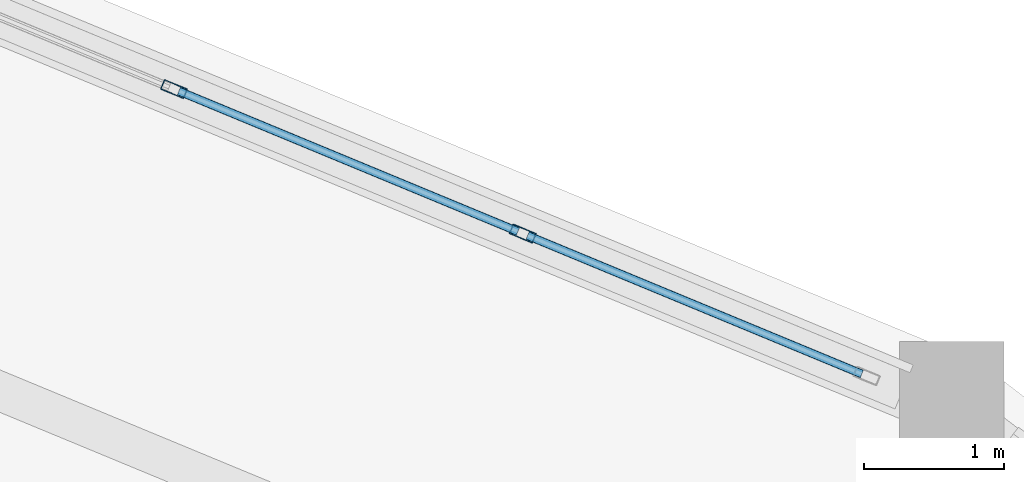
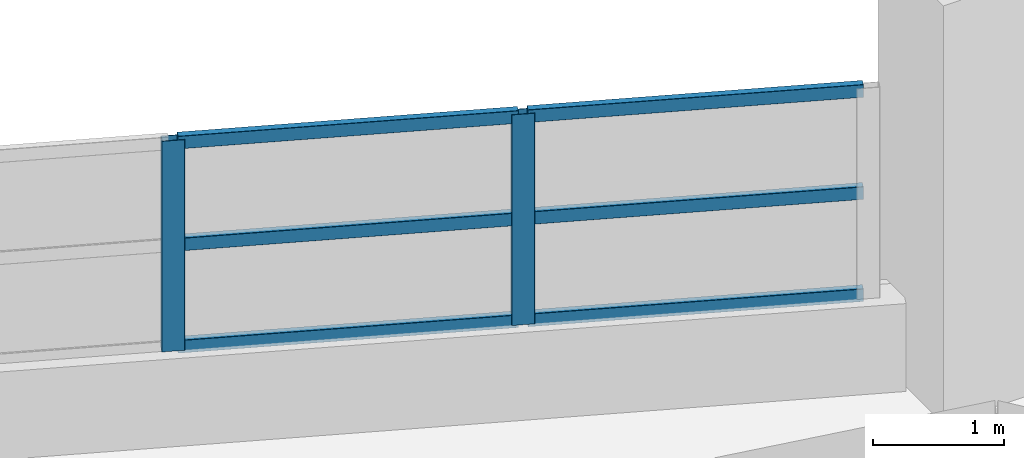
# One storey, part 78 of 108: 8 members, 1 element without a shape of its own.
"""IFC4 building model written with IfcOpenShell, lengths in metres."""

from ifc_helpers import new_model, si_unit, direction, frame, origin, origin_2d, place, context, subcontext, project, spatial, hollow_rectangle, extrude, material, layer, layer_set, material_profile, profile_set, type_object, element, aggregate, save


model = new_model("IFC4")

# Units and contexts
model_context = context("Model", 3, precision=1e-05, world=origin(), true_north=direction((0.0, 1.0)))
body_context = subcontext(model_context, "Body", "Model", "MODEL_VIEW")
ifc_project = project(units=[si_unit("LENGTHUNIT", "METRE"), si_unit("AREAUNIT", "SQUARE_METRE"), si_unit("VOLUMEUNIT", "CUBIC_METRE"), si_unit("PLANEANGLEUNIT", "RADIAN"), si_unit("MASSUNIT", "GRAM", prefix="KILO")], contexts=[model_context])

# Site, building, storey
site_placement = place(None, origin())
site = spatial("IfcSite", under=ifc_project, at=site_placement, CompositionType="ELEMENT")
building_placement = place(site_placement, origin())
building = spatial("IfcBuilding", under=site, at=building_placement, Name="Vespera Passage Community Centre", CompositionType="ELEMENT")
storey_placement = place(building_placement, frame((0.0, 0.0, 12.60009765625)))
storey = spatial("IfcBuildingStorey", under=building, at=storey_placement, Name="L03", CompositionType="ELEMENT", Elevation=12.60009765625)

# Curtain wall, members
ifc_material_1 = material(Name="Anodized aluminium 6063-T6", Category="aluminium")
ifc_layer = layer(ifc_material_1, 0.159912109375)
ifc_layer_set = layer_set([ifc_layer], Name="Anodized aluminium 6063-T6")
curtain_wall_type = type_object("IfcCurtainWallType", Name="CW-39E", PredefinedType="NOTDEFINED", material=ifc_layer_set)
curtain_wall_placement = place(storey_placement, origin())
curtain_wall = element("IfcCurtainWall", 1, at=curtain_wall_placement, inside=storey, type_object=curtain_wall_type, Name="V4 L03 Outer Ribbon Curtain Wall 4", PredefinedType="NOTDEFINED")
ifc_material_2 = material(Name="Anodized aluminium 6063-T6", Category="aluminium")
ifc_material_profile_1 = material_profile(ifc_material_2, hollow_rectangle(XDim=0.074951171875, YDim=0.179931640625, WallThickness=0.0048828125, InnerFilletRadius=0.00244140625, OuterFilletRadius=0.0048828125, at=origin_2d()), Name="ALU180X75X5")
ifc_profile_set_1 = profile_set([ifc_material_profile_1], Name="Anodized aluminium 6063-T6")
member_type_1 = type_object("IfcMemberType", Name="MB-CWM-180E", PredefinedType="MULLION", material=ifc_profile_set_1)
member_1_placement = place(storey_placement, frame((95.49072265625, 107.7265625, 0.81982421875), z_axis=(0.0, 0.0, 1.0), x_axis=(0.382682936255, 0.923879738007, 0.0)))
member_1 = element("IfcMember", 2, at=member_1_placement, type_object=member_type_1, Name="CW-39E mullion 3", PredefinedType="MULLION", context=body_context, shape_type="SweptSolid", body=[
    extrude(hollow_rectangle(XDim=0.074951171875, YDim=0.179931640625, WallThickness=0.0048828125, InnerFilletRadius=0.00244140625, OuterFilletRadius=0.0048828125, at=origin_2d()), origin(), (0.0, 0.0, 1.0), 1.965576171875),
])
member_2_placement = place(storey_placement, frame((97.983642578125, 106.69384765625, 0.81982421875), z_axis=(0.0, 0.0, 1.0), x_axis=(0.382682936255, 0.923879738007, 0.0)))
member_2 = element("IfcMember", 3, at=member_2_placement, type_object=member_type_1, Name="CW-39E mullion 4", PredefinedType="MULLION", context=body_context, shape_type="SweptSolid", body=[
    extrude(hollow_rectangle(XDim=0.074951171875, YDim=0.179931640625, WallThickness=0.0048828125, InnerFilletRadius=0.00244140625, OuterFilletRadius=0.0048828125, at=origin_2d()), origin(), (0.0, 0.0, 1.0), 1.965576171875),
])
ifc_material_3 = material(Name="Anodized aluminium 6063-T6", Category="aluminium")
ifc_material_profile_2 = material_profile(ifc_material_3, hollow_rectangle(XDim=0.06005859375, YDim=0.1201171875, WallThickness=0.00390625, InnerFilletRadius=0.001953125, OuterFilletRadius=0.00390625, at=origin_2d()), Name="ALU120X60X4")
ifc_profile_set_2 = profile_set([ifc_material_profile_2], Name="Anodized aluminium 6063-T6")
member_type_2 = type_object("IfcMemberType", Name="MB-CWT-120E", PredefinedType="USERDEFINED", material=ifc_profile_set_2)
member_3_placement = place(storey_placement, frame((95.525390625, 107.712158203125, 0.849853515625), z_axis=(0.92387617736, -0.382691532316, 0.0), x_axis=(0.382691532316, 0.92387617736, 0.0)))
member_3 = element("IfcMember", 4, at=member_3_placement, type_object=member_type_2, Name="CW-39E transom 3.1", ObjectType="TRANSOM", PredefinedType="USERDEFINED", context=body_context, shape_type="SweptSolid", body=[
    extrude(hollow_rectangle(XDim=0.06005859375, YDim=0.1201171875, WallThickness=0.00390625, InnerFilletRadius=0.001953125, OuterFilletRadius=0.00390625, at=origin_2d()), origin(), (0.0, 0.0, 1.0), 2.623291015625),
])
member_4_placement = place(storey_placement, frame((95.525390625, 107.712158203125, 1.802734375), z_axis=(0.92387617736, -0.382691532316, 0.0), x_axis=(0.382691532316, 0.92387617736, 0.0)))
member_4 = element("IfcMember", 5, at=member_4_placement, type_object=member_type_2, Name="CW-39E transom 3.2", ObjectType="TRANSOM", PredefinedType="USERDEFINED", context=body_context, shape_type="SweptSolid", body=[
    extrude(hollow_rectangle(XDim=0.06005859375, YDim=0.1201171875, WallThickness=0.00390625, InnerFilletRadius=0.001953125, OuterFilletRadius=0.00390625, at=origin_2d()), origin(), (0.0, 0.0, 1.0), 2.623291015625),
])
member_5_placement = place(storey_placement, frame((95.525390625, 107.712158203125, 2.755615234375), z_axis=(0.92387617736, -0.382691532316, 0.0), x_axis=(0.382691532316, 0.92387617736, 0.0)))
member_5 = element("IfcMember", 6, at=member_5_placement, type_object=member_type_2, Name="CW-39E transom 3.3", ObjectType="TRANSOM", PredefinedType="USERDEFINED", context=body_context, shape_type="SweptSolid", body=[
    extrude(hollow_rectangle(XDim=0.06005859375, YDim=0.1201171875, WallThickness=0.00390625, InnerFilletRadius=0.001953125, OuterFilletRadius=0.00390625, at=origin_2d()), origin(), (0.0, 0.0, 1.0), 2.623291015625),
])
member_6_placement = place(storey_placement, frame((98.018310546875, 106.6796875, 0.849853515625), z_axis=(0.923882193286, -0.382677008624, 0.0), x_axis=(0.382677008624, 0.923882193286, 0.0)))
member_6 = element("IfcMember", 7, at=member_6_placement, type_object=member_type_2, Name="CW-39E transom 4.1", ObjectType="TRANSOM", PredefinedType="USERDEFINED", context=body_context, shape_type="SweptSolid", body=[
    extrude(hollow_rectangle(XDim=0.06005859375, YDim=0.1201171875, WallThickness=0.00390625, InnerFilletRadius=0.001953125, OuterFilletRadius=0.00390625, at=origin_2d()), origin(), (0.0, 0.0, 1.0), 2.585693359375),
])
member_7_placement = place(storey_placement, frame((98.018310546875, 106.6796875, 1.802734375), z_axis=(0.923882193286, -0.382677008624, 0.0), x_axis=(0.382677008624, 0.923882193286, 0.0)))
member_7 = element("IfcMember", 8, at=member_7_placement, type_object=member_type_2, Name="CW-39E transom 4.2", ObjectType="TRANSOM", PredefinedType="USERDEFINED", context=body_context, shape_type="SweptSolid", body=[
    extrude(hollow_rectangle(XDim=0.06005859375, YDim=0.1201171875, WallThickness=0.00390625, InnerFilletRadius=0.001953125, OuterFilletRadius=0.00390625, at=origin_2d()), origin(), (0.0, 0.0, 1.0), 2.585693359375),
])
member_8_placement = place(storey_placement, frame((98.018310546875, 106.6796875, 2.755615234375), z_axis=(0.923882193286, -0.382677008624, 0.0), x_axis=(0.382677008624, 0.923882193286, 0.0)))
member_8 = element("IfcMember", 9, at=member_8_placement, type_object=member_type_2, Name="CW-39E transom 4.3", ObjectType="TRANSOM", PredefinedType="USERDEFINED", context=body_context, shape_type="SweptSolid", body=[
    extrude(hollow_rectangle(XDim=0.06005859375, YDim=0.1201171875, WallThickness=0.00390625, InnerFilletRadius=0.001953125, OuterFilletRadius=0.00390625, at=origin_2d()), origin(), (0.0, 0.0, 1.0), 2.585693359375),
])
aggregate(curtain_wall, [member_1, member_2, member_3, member_4, member_5, member_6, member_7, member_8])

save(model, "model.ifc")
